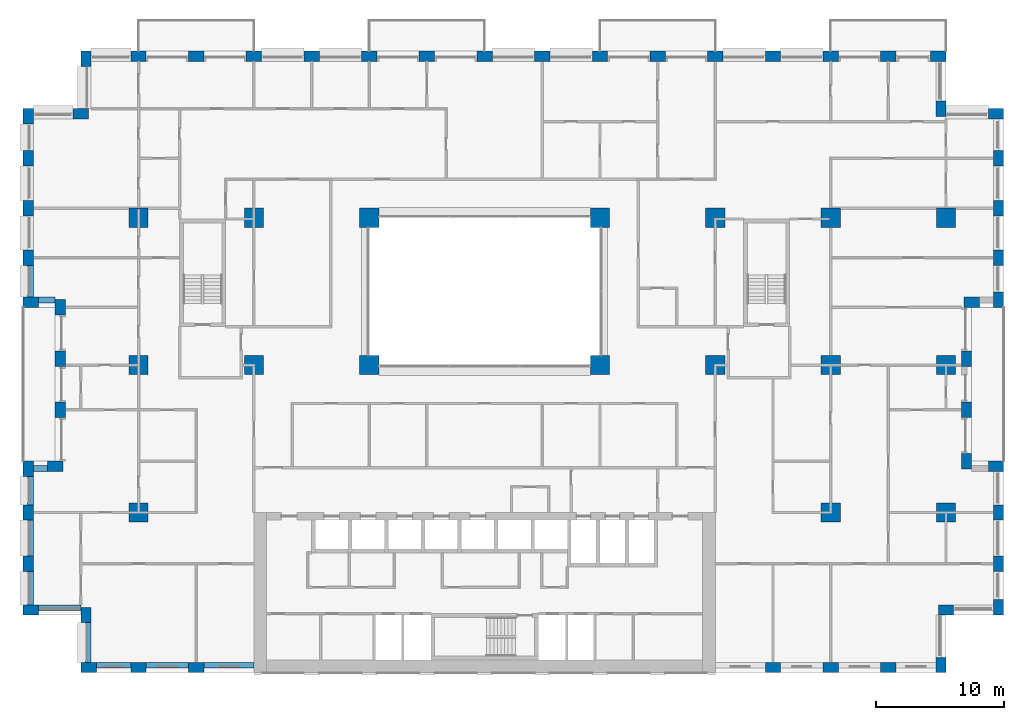
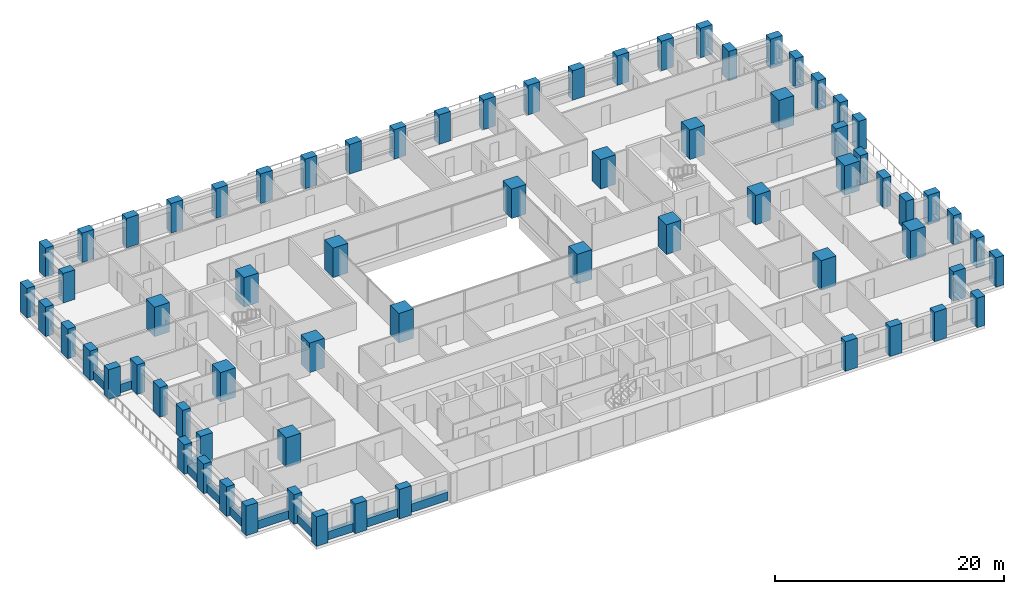
# One storey, part 1 of 20: 70 columns, 11 beams.
"""IFC4 building model written with IfcOpenShell, lengths in metres."""

from ifc_helpers import new_model, si_unit, direction, frame, origin, origin_2d, place, context, subcontext, project, spatial, rectangle, extrude, material, material_profile, profile_set, type_object, element, save


model = new_model("IFC4")

# Units and contexts
model_context = context("Model", 3, precision=1e-05, world=origin(), true_north=direction((0.0, 1.0)))
body_context = subcontext(model_context, "Body", "Model", "MODEL_VIEW")
ifc_project = project(units=[si_unit("LENGTHUNIT", "METRE"), si_unit("AREAUNIT", "SQUARE_METRE"), si_unit("VOLUMEUNIT", "CUBIC_METRE"), si_unit("PLANEANGLEUNIT", "RADIAN"), si_unit("MASSUNIT", "GRAM", prefix="KILO")], contexts=[model_context])

# Site, building, storey
site_placement = place(None, origin())
site = spatial("IfcSite", under=ifc_project, at=site_placement, CompositionType="ELEMENT")
building_placement = place(site_placement, origin())
building = spatial("IfcBuilding", under=site, at=building_placement, Name="Brigalow Station Residences", CompositionType="ELEMENT")
storey_placement = place(building_placement, frame((0.0, 0.0, 44.699951171875)))
storey = spatial("IfcBuildingStorey", under=building, at=storey_placement, Name="L12", CompositionType="ELEMENT", Elevation=44.699951171875)

# Columns
ifc_material_1 = material(Name="Concrete C80", Category="concrete")
ifc_material_profile_1 = material_profile(ifc_material_1, rectangle(XDim=1.5, YDim=1.5, at=origin_2d()), Name="RC1500x1500")
ifc_profile_set_1 = profile_set([ifc_material_profile_1], Name="Concrete C80")
column_type_1 = type_object("IfcColumnType", Name="COLUMN 1500x1500 C80", PredefinedType="COLUMN", material=ifc_profile_set_1)
for number, where, z_axis, x_axis, name in (
    (1, (9.0, 24.0, 0.0), (0.0, 0.0, 1.0), (1.0, 0.0, 0.0), "COLUMN C1 L12"),
    (2, (18.0, 24.0, 0.0), (0.0, 0.0, 1.0), (1.0, 0.0, 0.0), "COLUMN C2 L12"),
    (3, (27.0, 24.0, 0.0), (0.0, 0.0, 1.0), (1.0, 0.0, 0.0), "COLUMN C3 L12"),
    (4, (45.0, 24.0, 0.0), (0.0, 0.0, 1.0), (1.0, 0.0, 0.0), "COLUMN C5 L12"),
    (5, (54.0, 24.0, 0.0), (0.0, 0.0, 1.0), (1.0, 0.0, 0.0), "COLUMN C6 L12"),
    (6, (63.0, 24.0, 0.0), (0.0, 0.0, 1.0), (1.0, 0.0, 0.0), "COLUMN C7 L12"),
    (7, (72.0, 24.0, 0.0), (0.0, 0.0, 1.0), (1.0, 0.0, 0.0), "COLUMN C8 L12"),
    (8, (9.0, 35.5, 0.0), (0.0, 0.0, 1.0), (1.0, 0.0, 0.0), "COLUMN D1 L12"),
    (9, (18.0, 35.5, 0.0), (0.0, 0.0, 1.0), (1.0, 0.0, 0.0), "COLUMN D2 L12"),
    (10, (27.0, 35.5, 0.0), (0.0, 0.0, 1.0), (1.0, 0.0, 0.0), "COLUMN D3 L12"),
    (11, (45.0, 35.5, 0.0), (0.0, 0.0, 1.0), (1.0, 0.0, 0.0), "COLUMN D5 L12"),
    (12, (54.0, 35.5, 0.0), (0.0, 0.0, 1.0), (1.0, 0.0, 0.0), "COLUMN D6 L12"),
    (13, (63.0, 35.5, 0.0), (0.0, 0.0, 1.0), (1.0, 0.0, 0.0), "COLUMN D7 L12"),
    (14, (72.0, 35.5, 0.0), (0.0, 0.0, 1.0), (1.0, 0.0, 0.0), "COLUMN D8 L12"),
    (15, (9.0, 12.5, 0.0), (0.0, 0.0, 1.0), (1.0, 0.0, 0.0), "COLUMN B1 L12"),
    (16, (63.0, 12.5, 0.0), (0.0, 0.0, 1.0), (1.0, 0.0, 0.0), "COLUMN B7 L12"),
    (17, (72.0, 12.5, 0.0), (0.0, 0.0, 1.0), (1.0, 0.0, 0.0), "COLUMN B8 L12"),
):
    element("IfcColumn", number, at=place(storey_placement, frame(where, z_axis=z_axis, x_axis=x_axis)), inside=storey, type_object=column_type_1, Name=name, PredefinedType="COLUMN", context=body_context, shape_type="SweptSolid", body=[
        extrude(rectangle(XDim=1.5, YDim=1.5, at=origin_2d()), origin(), (0.0, 0.0, 1.0), 3.150146484375),
    ])
ifc_material_2 = material(Name="Concrete C80", Category="concrete")
ifc_material_profile_2 = material_profile(ifc_material_2, rectangle(XDim=1.199951171875, YDim=0.800048828125, at=origin_2d()), Name="RC1200x800")
ifc_profile_set_2 = profile_set([ifc_material_profile_2], Name="Concrete C80")
column_type_2 = type_object("IfcColumnType", Name="PIER 1200x800 C80", PredefinedType="USERDEFINED", material=ifc_profile_set_2)
for number, where, z_axis, x_axis, name in (
    (18, (5.10009765625, 0.39990234375, 0.0), (0.0, 0.0, 1.0), (1.0, 0.0, 0.0), "PIER S-1 L12"),
    (19, (9.0, 0.39990234375, 0.0), (0.0, 0.0, 1.0), (1.0, 0.0, 0.0), "PIER S-2 L12"),
    (20, (13.5, 0.39990234375, 0.0), (0.0, 0.0, 1.0), (1.0, 0.0, 0.0), "PIER S-3 L12"),
    (21, (58.5, 0.39990234375, 0.0), (0.0, 0.0, 1.0), (1.0, 0.0, 0.0), "PIER S-13 L12"),
    (22, (63.0, 0.39990234375, 0.0), (0.0, 0.0, 1.0), (1.0, 0.0, 0.0), "PIER S-14 L12"),
    (23, (67.5, 0.39990234375, 0.0), (0.0, 0.0, 1.0), (1.0, 0.0, 0.0), "PIER S-15 L12"),
    (24, (71.60009765625, 0.60009765625, 0.0), (0.0, 0.0, 1.0), (0.0, 1.0, 0.0), "PIER SE1-1 L12"),
    (25, (72.0, 4.89990234375, 0.0), (0.0, 0.0, 1.0), (1.0, 0.0, 0.0), "PIER SE2-1 L12"),
    (26, (76.10009765625, 5.10009765625, 0.0), (0.0, 0.0, 1.0), (0.0, 1.0, 0.0), "PIER E1-1 L12"),
    (27, (76.10009765625, 8.5, 0.0), (0.0, 0.0, 1.0), (0.0, 1.0, 0.0), "PIER E1-2 L12"),
    (28, (76.10009765625, 12.5, 0.0), (0.0, 0.0, 1.0), (0.0, 1.0, 0.0), "PIER E1-3 L12"),
    (29, (75.89990234375, 16.10009765625, 0.0), (0.0, 0.0, 1.0), (-1.0, 0.0, 0.0), "PIER EL1-1 L12"),
    (30, (73.60009765625, 16.5, 0.0), (0.0, 0.0, 1.0), (0.0, 1.0, 0.0), "PIER EL2-1 L12"),
    (31, (73.60009765625, 20.5, 0.0), (0.0, 0.0, 1.0), (0.0, 1.0, 0.0), "PIER EL2-2 L12"),
    (32, (73.60009765625, 24.5, 0.0), (0.0, 0.0, 1.0), (0.0, 1.0, 0.0), "PIER EL2-3 L12"),
    (33, (74.0, 28.89990234375, 0.0), (0.0, 0.0, 1.0), (1.0, 0.0, 0.0), "PIER EL3-1 L12"),
    (34, (76.10009765625, 29.10009765625, 0.0), (0.0, 0.0, 1.0), (0.0, 1.0, 0.0), "PIER E2-1 L12"),
    (35, (76.10009765625, 32.375, 0.0), (0.0, 0.0, 1.0), (0.0, 1.0, 0.0), "PIER E2-2 L12"),
    (36, (76.10009765625, 36.25, 0.0), (0.0, 0.0, 1.0), (0.0, 1.0, 0.0), "PIER E2-3 L12"),
    (37, (76.10009765625, 40.125, 0.0), (0.0, 0.0, 1.0), (0.0, 1.0, 0.0), "PIER E2-4 L12"),
    (38, (75.89990234375, 43.60009765625, 0.0), (0.0, 0.0, 1.0), (-1.0, 0.0, 0.0), "PIER NE1-1 L12"),
    (39, (71.60009765625, 44.0, 0.0), (0.0, 0.0, 1.0), (0.0, 1.0, 0.0), "PIER NE2-1 L12"),
    (40, (71.39990234375, 48.10009765625, 0.0), (0.0, 0.0, 1.0), (-1.0, 0.0, 0.0), "PIER N-1 L12"),
    (41, (67.5, 48.10009765625, 0.0), (0.0, 0.0, 1.0), (-1.0, 0.0, 0.0), "PIER N-2 L12"),
    (42, (63.0, 48.10009765625, 0.0), (0.0, 0.0, 1.0), (-1.0, 0.0, 0.0), "PIER N-3 L12"),
    (43, (58.5, 48.10009765625, 0.0), (0.0, 0.0, 1.0), (-1.0, 0.0, 0.0), "PIER N-4 L12"),
    (44, (54.0, 48.10009765625, 0.0), (0.0, 0.0, 1.0), (-1.0, 0.0, 0.0), "PIER N-5 L12"),
    (45, (49.5, 48.10009765625, 0.0), (0.0, 0.0, 1.0), (-1.0, 0.0, 0.0), "PIER N-6 L12"),
    (46, (45.0, 48.10009765625, 0.0), (0.0, 0.0, 1.0), (-1.0, 0.0, 0.0), "PIER N-7 L12"),
    (47, (40.5, 48.10009765625, 0.0), (0.0, 0.0, 1.0), (-1.0, 0.0, 0.0), "PIER N-8 L12"),
    (48, (36.0, 48.10009765625, 0.0), (0.0, 0.0, 1.0), (-1.0, 0.0, 0.0), "PIER N-9 L12"),
    (49, (31.5, 48.10009765625, 0.0), (0.0, 0.0, 1.0), (-1.0, 0.0, 0.0), "PIER N-10 L12"),
    (50, (27.0, 48.10009765625, 0.0), (0.0, 0.0, 1.0), (-1.0, 0.0, 0.0), "PIER N-11 L12"),
    (51, (22.5, 48.10009765625, 0.0), (0.0, 0.0, 1.0), (-1.0, 0.0, 0.0), "PIER N-12 L12"),
    (52, (18.0, 48.10009765625, 0.0), (0.0, 0.0, 1.0), (-1.0, 0.0, 0.0), "PIER N-13 L12"),
    (53, (13.5, 48.10009765625, 0.0), (0.0, 0.0, 1.0), (-1.0, 0.0, 0.0), "PIER N-14 L12"),
    (54, (9.0, 48.10009765625, 0.0), (0.0, 0.0, 1.0), (-1.0, 0.0, 0.0), "PIER N-15 L12"),
    (55, (4.89990234375, 47.89990234375, 0.0), (0.0, 0.0, 1.0), (0.0, -1.0, 0.0), "PIER NW1-1 L12"),
    (56, (4.5, 43.60009765625, 0.0), (0.0, 0.0, 1.0), (-1.0, 0.0, 0.0), "PIER NW2-1 L12"),
    (57, (0.39990234375, 43.39990234375, 0.0), (0.0, 0.0, 1.0), (0.0, -1.0, 0.0), "PIER W2-1 L12"),
    (58, (0.39990234375, 40.125, 0.0), (0.0, 0.0, 1.0), (0.0, -1.0, 0.0), "PIER W2-2 L12"),
    (59, (0.39990234375, 36.25, 0.0), (0.0, 0.0, 1.0), (0.0, -1.0, 0.0), "PIER W2-3 L12"),
    (60, (0.39990234375, 32.375, 0.0), (0.0, 0.0, 1.0), (0.0, -1.0, 0.0), "PIER W2-4 L12"),
    (61, (0.60009765625, 28.89990234375, 0.0), (0.0, 0.0, 1.0), (1.0, 0.0, 0.0), "PIER WL1-1 L12"),
    (62, (2.89990234375, 28.5, 0.0), (0.0, 0.0, 1.0), (0.0, -1.0, 0.0), "PIER WL2-1 L12"),
    (63, (2.89990234375, 24.5, 0.0), (0.0, 0.0, 1.0), (0.0, -1.0, 0.0), "PIER WL2-2 L12"),
    (64, (2.89990234375, 20.5, 0.0), (0.0, 0.0, 1.0), (0.0, -1.0, 0.0), "PIER WL2-3 L12"),
    (65, (2.5, 16.10009765625, 0.0), (0.0, 0.0, 1.0), (-1.0, 0.0, 0.0), "PIER WL3-1 L12"),
    (66, (0.39990234375, 15.89990234375, 0.0), (0.0, 0.0, 1.0), (0.0, -1.0, 0.0), "PIER W1-1 L12"),
    (67, (0.39990234375, 12.5, 0.0), (0.0, 0.0, 1.0), (0.0, -1.0, 0.0), "PIER W1-2 L12"),
    (68, (0.39990234375, 8.5, 0.0), (0.0, 0.0, 1.0), (0.0, -1.0, 0.0), "PIER W1-3 L12"),
    (69, (0.60009765625, 4.89990234375, 0.0), (0.0, 0.0, 1.0), (1.0, 0.0, 0.0), "PIER SW1-1 L12"),
    (70, (4.89990234375, 4.5, 0.0), (0.0, 0.0, 1.0), (0.0, -1.0, 0.0), "PIER SW2-1 L12"),
):
    element("IfcColumn", number, at=place(storey_placement, frame(where, z_axis=z_axis, x_axis=x_axis)), inside=storey, type_object=column_type_2, Name=name, ObjectType="PIER", PredefinedType="USERDEFINED", context=body_context, shape_type="SweptSolid", body=[
        extrude(rectangle(XDim=1.199951171875, YDim=0.800048828125, at=origin_2d()), origin(), (0.0, 0.0, 1.0), 3.150146484375),
    ])

# Beams
ifc_material_3 = material(Name="Concrete C65", Category="concrete")
ifc_material_profile_3 = material_profile(ifc_material_3, rectangle(XDim=0.449951171875, YDim=0.89990234375, at=origin_2d()), Name="RC450x900")
ifc_profile_set_3 = profile_set([ifc_material_profile_3], Name="Concrete C65")
beam_type = type_object("IfcBeamType", Name="SPANDREL BEAM 450x900 C65", PredefinedType="SPANDREL", material=ifc_profile_set_3)
beam_1_placement = place(storey_placement, frame((5.699951171875, 0.574951171875, 0.449951171875), z_axis=(1.0, 0.0, 0.0), x_axis=(0.0, 1.0, 0.0)))
element("IfcBeam", 71, at=beam_1_placement, inside=storey, type_object=beam_type, Name="L12/spandrel/W-L12-1", PredefinedType="SPANDREL", context=body_context, shape_type="SweptSolid", body=[
    extrude(rectangle(XDim=0.449951171875, YDim=0.89990234375, at=origin_2d()), origin(), (0.0, 0.0, 1.0), 2.699951171875),
])
beam_2_placement = place(storey_placement, frame((9.60009765625, 0.574951171875, 0.449951171875), z_axis=(1.0, 0.0, 0.0), x_axis=(0.0, 1.0, 0.0)))
element("IfcBeam", 72, at=beam_2_placement, inside=storey, type_object=beam_type, Name="L12/spandrel/W-L12-2", PredefinedType="SPANDREL", context=body_context, shape_type="SweptSolid", body=[
    extrude(rectangle(XDim=0.449951171875, YDim=0.89990234375, at=origin_2d()), origin(), (0.0, 0.0, 1.0), 3.2998046875),
])
beam_3_placement = place(storey_placement, frame((14.10009765625, 0.574951171875, 0.449951171875), z_axis=(1.0, 0.0, 0.0), x_axis=(0.0, 1.0, 0.0)))
element("IfcBeam", 73, at=beam_3_placement, inside=storey, type_object=beam_type, Name="L12/spandrel/W-L12-3", PredefinedType="SPANDREL", context=body_context, shape_type="SweptSolid", body=[
    extrude(rectangle(XDim=0.449951171875, YDim=0.89990234375, at=origin_2d()), origin(), (0.0, 0.0, 1.0), 3.89990234375),
])
beam_4_placement = place(storey_placement, frame((0.574951171875, 31.77490234375, 0.449951171875), z_axis=(0.0, -1.0, 0.0), x_axis=(1.0, 0.0, 0.0)))
element("IfcBeam", 74, at=beam_4_placement, inside=storey, type_object=beam_type, Name="L12/spandrel/W-L12-45", PredefinedType="SPANDREL", context=body_context, shape_type="SweptSolid", body=[
    extrude(rectangle(XDim=0.449951171875, YDim=0.89990234375, at=origin_2d()), origin(), (0.0, 0.0, 1.0), 2.474853515625),
])
beam_5_placement = place(storey_placement, frame((1.199951171875, 29.074951171875, 0.449951171875), z_axis=(1.0, 0.0, 0.0), x_axis=(0.0, 1.0, 0.0)))
element("IfcBeam", 75, at=beam_5_placement, inside=storey, type_object=beam_type, Name="L12/spandrel/W-L12-46", PredefinedType="SPANDREL", context=body_context, shape_type="SweptSolid", body=[
    extrude(rectangle(XDim=0.449951171875, YDim=0.89990234375, at=origin_2d()), origin(), (0.0, 0.0, 1.0), 1.300048828125),
])
beam_6_placement = place(storey_placement, frame((1.89990234375, 15.925048828125, 0.449951171875), z_axis=(-1.0, 0.0, 0.0), x_axis=(0.0, -1.0, 0.0)))
element("IfcBeam", 76, at=beam_6_placement, inside=storey, type_object=beam_type, Name="L12/spandrel/W-L12-50", PredefinedType="SPANDREL", context=body_context, shape_type="SweptSolid", body=[
    extrude(rectangle(XDim=0.449951171875, YDim=0.89990234375, at=origin_2d()), origin(), (0.0, 0.0, 1.0), 1.099853515625),
])
beam_7_placement = place(storey_placement, frame((0.574951171875, 15.300048828125, 0.449951171875), z_axis=(0.0, -1.0, 0.0), x_axis=(1.0, 0.0, 0.0)))
element("IfcBeam", 77, at=beam_7_placement, inside=storey, type_object=beam_type, Name="L12/spandrel/W-L12-51", PredefinedType="SPANDREL", context=body_context, shape_type="SweptSolid", body=[
    extrude(rectangle(XDim=0.449951171875, YDim=0.89990234375, at=origin_2d()), origin(), (0.0, 0.0, 1.0), 2.199951171875),
])
beam_8_placement = place(storey_placement, frame((0.574951171875, 11.89990234375, 0.449951171875), z_axis=(0.0, -1.0, 0.0), x_axis=(1.0, 0.0, 0.0)))
element("IfcBeam", 78, at=beam_8_placement, inside=storey, type_object=beam_type, Name="L12/spandrel/W-L12-52", PredefinedType="SPANDREL", context=body_context, shape_type="SweptSolid", body=[
    extrude(rectangle(XDim=0.449951171875, YDim=0.89990234375, at=origin_2d()), origin(), (0.0, 0.0, 1.0), 2.7998046875),
])
beam_9_placement = place(storey_placement, frame((0.574951171875, 7.89990234375, 0.449951171875), z_axis=(0.0, -1.0, 0.0), x_axis=(1.0, 0.0, 0.0)))
element("IfcBeam", 79, at=beam_9_placement, inside=storey, type_object=beam_type, Name="L12/spandrel/W-L12-53", PredefinedType="SPANDREL", context=body_context, shape_type="SweptSolid", body=[
    extrude(rectangle(XDim=0.449951171875, YDim=0.89990234375, at=origin_2d()), origin(), (0.0, 0.0, 1.0), 2.599853515625),
])
beam_10_placement = place(storey_placement, frame((1.199951171875, 5.074951171875, 0.449951171875), z_axis=(1.0, 0.0, 0.0), x_axis=(0.0, 1.0, 0.0)))
element("IfcBeam", 80, at=beam_10_placement, inside=storey, type_object=beam_type, Name="L12/spandrel/W-L12-54", PredefinedType="SPANDREL", context=body_context, shape_type="SweptSolid", body=[
    extrude(rectangle(XDim=0.449951171875, YDim=0.89990234375, at=origin_2d()), origin(), (0.0, 0.0, 1.0), 3.300048828125),
])
beam_11_placement = place(storey_placement, frame((5.074951171875, 3.89990234375, 0.449951171875), z_axis=(0.0, -1.0, 0.0), x_axis=(1.0, 0.0, 0.0)))
element("IfcBeam", 81, at=beam_11_placement, inside=storey, type_object=beam_type, Name="L12/spandrel/W-L12-55", PredefinedType="SPANDREL", context=body_context, shape_type="SweptSolid", body=[
    extrude(rectangle(XDim=0.449951171875, YDim=0.89990234375, at=origin_2d()), origin(), (0.0, 0.0, 1.0), 3.099853515625),
])

save(model, "model.ifc")
